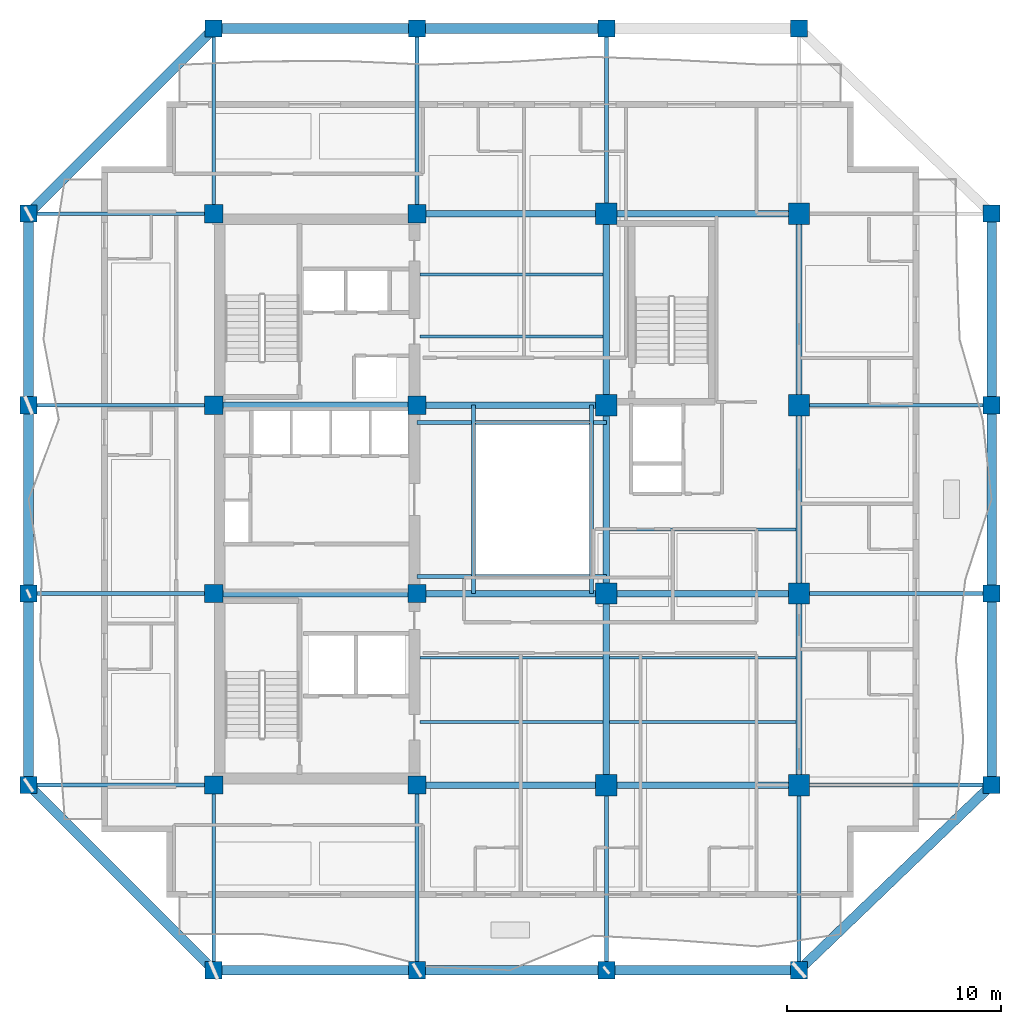
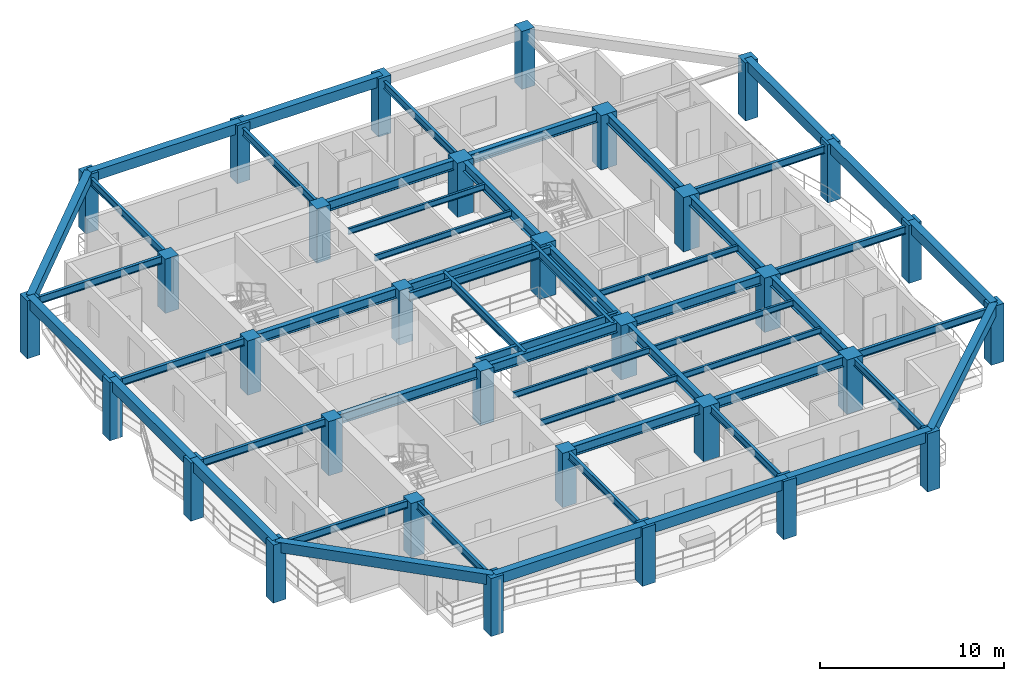
# One storey, part 1 of 11: 54 beams, 32 columns.
"""IFC4 building model written with IfcOpenShell, lengths in metres."""

from ifc_helpers import new_model, si_unit, direction, frame, origin, origin_2d, place, context, subcontext, project, spatial, rectangle, i_section, extrude, material, material_profile, profile_set, type_object, element, save


model = new_model("IFC4")

# Units and contexts
model_context = context("Model", 3, precision=1e-05, world=origin(), true_north=direction((0.0, 1.0)))
body_context = subcontext(model_context, "Body", "Model", "MODEL_VIEW")
ifc_project = project(units=[si_unit("LENGTHUNIT", "METRE"), si_unit("AREAUNIT", "SQUARE_METRE"), si_unit("VOLUMEUNIT", "CUBIC_METRE"), si_unit("PLANEANGLEUNIT", "RADIAN"), si_unit("MASSUNIT", "GRAM", prefix="KILO")], contexts=[model_context])

# Site, building, storey
site_placement = place(None, origin())
site = spatial("IfcSite", under=ifc_project, at=site_placement, CompositionType="ELEMENT")
building_placement = place(site_placement, origin())
building = spatial("IfcBuilding", under=site, at=building_placement, Name="Kundavana Baori Tower", CompositionType="ELEMENT")
storey_placement = place(building_placement, frame((0.0, 0.0, 127.10009765625)))
storey = spatial("IfcBuildingStorey", under=building, at=storey_placement, Name="L30", CompositionType="ELEMENT", Elevation=127.10009765625)

# Columns
ifc_material_1 = material(Name="Concrete C50/60", Category="concrete")
ifc_material_profile_1 = material_profile(ifc_material_1, rectangle(XDim=0.800048828125, YDim=0.800048828125, at=origin_2d()), Name="RC PF 800x800")
ifc_profile_set_1 = profile_set([ifc_material_profile_1], Name="Concrete C50/60")
column_type_1 = type_object("IfcColumnType", Name="COL-PF-800", PredefinedType="COLUMN", material=ifc_profile_set_1)
for number, where, z_axis, x_axis, name in (
    (1, (15.449951171875, 6.60009765625, 0.0), (0.0, 0.0, 1.0), (1.0, 0.0, 0.0), "L30 Stone-Clad Perimeter Frame Column PF-S1"),
    (2, (15.449951171875, 50.60009765625, 0.0), (0.0, 0.0, 1.0), (1.0, 0.0, 0.0), "L30 Stone-Clad Perimeter Frame Column PF-N1"),
    (3, (24.949951171875, 6.60009765625, 0.0), (0.0, 0.0, 1.0), (1.0, 0.0, 0.0), "L30 Stone-Clad Perimeter Frame Column PF-S2"),
    (4, (24.949951171875, 50.60009765625, 0.0), (0.0, 0.0, 1.0), (1.0, 0.0, 0.0), "L30 Stone-Clad Perimeter Frame Column PF-N2"),
    (5, (33.800048828125, 6.60009765625, 0.0), (0.0, 0.0, 1.0), (1.0, 0.0, 0.0), "L30 Stone-Clad Perimeter Frame Column PF-S3"),
    (6, (33.800048828125, 50.60009765625, 0.0), (0.0, 0.0, 1.0), (1.0, 0.0, 0.0), "L30 Stone-Clad Perimeter Frame Column PF-N3"),
    (7, (42.800048828125, 6.60009765625, 0.0), (0.0, 0.0, 1.0), (1.0, 0.0, 0.0), "L30 Stone-Clad Perimeter Frame Column PF-S4"),
    (8, (42.800048828125, 50.60009765625, 0.0), (0.0, 0.0, 1.0), (1.0, 0.0, 0.0), "L30 Stone-Clad Perimeter Frame Column PF-N4"),
    (9, (6.800048828125, 15.25, 0.0), (0.0, 0.0, 1.0), (1.0, 0.0, 0.0), "L30 Stone-Clad Perimeter Frame Column PF-W1"),
    (10, (51.800048828125, 15.25, 0.0), (0.0, 0.0, 1.0), (1.0, 0.0, 0.0), "L30 Stone-Clad Perimeter Frame Column PF-E1"),
    (11, (6.800048828125, 24.199951171875, 0.0), (0.0, 0.0, 1.0), (1.0, 0.0, 0.0), "L30 Stone-Clad Perimeter Frame Column PF-W2"),
    (12, (51.800048828125, 24.199951171875, 0.0), (0.0, 0.0, 1.0), (1.0, 0.0, 0.0), "L30 Stone-Clad Perimeter Frame Column PF-E2"),
    (13, (6.800048828125, 33.0, 0.0), (0.0, 0.0, 1.0), (1.0, 0.0, 0.0), "L30 Stone-Clad Perimeter Frame Column PF-W3"),
    (14, (51.800048828125, 33.0, 0.0), (0.0, 0.0, 1.0), (1.0, 0.0, 0.0), "L30 Stone-Clad Perimeter Frame Column PF-E3"),
    (15, (6.800048828125, 41.949951171875, 0.0), (0.0, 0.0, 1.0), (1.0, 0.0, 0.0), "L30 Stone-Clad Perimeter Frame Column PF-W4"),
    (16, (51.800048828125, 41.949951171875, 0.0), (0.0, 0.0, 1.0), (1.0, 0.0, 0.0), "L30 Stone-Clad Perimeter Frame Column PF-E4"),
):
    element("IfcColumn", number, at=place(storey_placement, frame(where, z_axis=z_axis, x_axis=x_axis)), inside=storey, type_object=column_type_1, Name=name, PredefinedType="COLUMN", context=body_context, shape_type="SweptSolid", body=[
        extrude(rectangle(XDim=0.800048828125, YDim=0.800048828125, at=origin_2d()), origin(), (0.0, 0.0, 1.0), 3.849853515625),
    ])
ifc_material_2 = material(Name="Concrete C50/60", Category="concrete")
ifc_material_profile_2 = material_profile(ifc_material_2, rectangle(XDim=1.0, YDim=1.0, at=origin_2d()), Name="RC 1000x1000")
ifc_profile_set_2 = profile_set([ifc_material_profile_2], Name="Concrete C50/60")
column_type_2 = type_object("IfcColumnType", Name="COL-RC-1000", PredefinedType="COLUMN", material=ifc_profile_set_2)
for number, where, z_axis, x_axis, name in (
    (17, (33.800048828125, 15.25, 0.0), (0.0, 0.0, 1.0), (1.0, 0.0, 0.0), "L30 Interior Column IC-5C"),
    (18, (33.800048828125, 24.199951171875, 0.0), (0.0, 0.0, 1.0), (1.0, 0.0, 0.0), "L30 Interior Column IC-5D"),
    (19, (33.800048828125, 33.0, 0.0), (0.0, 0.0, 1.0), (1.0, 0.0, 0.0), "L30 Interior Column IC-5E"),
    (20, (33.800048828125, 41.949951171875, 0.0), (0.0, 0.0, 1.0), (1.0, 0.0, 0.0), "L30 Interior Column IC-5F"),
    (21, (42.800048828125, 15.25, 0.0), (0.0, 0.0, 1.0), (1.0, 0.0, 0.0), "L30 Interior Column IC-6C"),
    (22, (42.800048828125, 24.199951171875, 0.0), (0.0, 0.0, 1.0), (1.0, 0.0, 0.0), "L30 Interior Column IC-6D"),
    (23, (42.800048828125, 33.0, 0.0), (0.0, 0.0, 1.0), (1.0, 0.0, 0.0), "L30 Interior Column IC-6E"),
    (24, (42.800048828125, 41.949951171875, 0.0), (0.0, 0.0, 1.0), (1.0, 0.0, 0.0), "L30 Interior Column IC-6F"),
):
    element("IfcColumn", number, at=place(storey_placement, frame(where, z_axis=z_axis, x_axis=x_axis)), inside=storey, type_object=column_type_2, Name=name, PredefinedType="COLUMN", context=body_context, shape_type="SweptSolid", body=[
        extrude(rectangle(XDim=1.0, YDim=1.0, at=origin_2d()), origin(), (0.0, 0.0, 1.0), 3.599853515625),
    ])
ifc_material_3 = material(Name="Concrete C50/60", Category="concrete")
ifc_material_profile_3 = material_profile(ifc_material_3, rectangle(XDim=0.85009765625, YDim=0.85009765625, at=origin_2d()), Name="RC 850x850")
ifc_profile_set_3 = profile_set([ifc_material_profile_3], Name="Concrete C50/60")
column_type_3 = type_object("IfcColumnType", Name="COL-RC-850", PredefinedType="COLUMN", material=ifc_profile_set_3)
for number, where, z_axis, x_axis, name in (
    (25, (15.449951171875, 15.25, 0.0), (0.0, 0.0, 1.0), (1.0, 0.0, 0.0), "L30 Interior Column IC-3C"),
    (26, (15.449951171875, 24.199951171875, 0.0), (0.0, 0.0, 1.0), (1.0, 0.0, 0.0), "L30 Interior Column IC-3D"),
    (27, (15.449951171875, 33.0, 0.0), (0.0, 0.0, 1.0), (1.0, 0.0, 0.0), "L30 Interior Column IC-3E"),
    (28, (15.449951171875, 41.949951171875, 0.0), (0.0, 0.0, 1.0), (1.0, 0.0, 0.0), "L30 Interior Column IC-3F"),
    (29, (24.949951171875, 15.25, 0.0), (0.0, 0.0, 1.0), (1.0, 0.0, 0.0), "L30 Interior Column IC-4C"),
    (30, (24.949951171875, 24.199951171875, 0.0), (0.0, 0.0, 1.0), (1.0, 0.0, 0.0), "L30 Interior Column IC-4D"),
    (31, (24.949951171875, 33.0, 0.0), (0.0, 0.0, 1.0), (1.0, 0.0, 0.0), "L30 Interior Column IC-4E"),
    (32, (24.949951171875, 41.949951171875, 0.0), (0.0, 0.0, 1.0), (1.0, 0.0, 0.0), "L30 Interior Column IC-4F"),
):
    element("IfcColumn", number, at=place(storey_placement, frame(where, z_axis=z_axis, x_axis=x_axis)), inside=storey, type_object=column_type_3, Name=name, PredefinedType="COLUMN", context=body_context, shape_type="SweptSolid", body=[
        extrude(rectangle(XDim=0.85009765625, YDim=0.85009765625, at=origin_2d()), origin(), (0.0, 0.0, 1.0), 3.599853515625),
    ])

# Beams
ifc_material_4 = material(Name="Structural Steel S355JR", Category="steel")
ifc_material_profile_4 = material_profile(ifc_material_4, i_section(OverallWidth=0.139892578125, OverallDepth=0.39990234375, WebThickness=0.0087890625, FlangeThickness=0.01611328125, FilletRadius=0.013916015625, at=origin_2d()), Name="ISMB 400")
ifc_profile_set_4 = profile_set([ifc_material_profile_4], Name="Structural Steel S355JR")
beam_type_1 = type_object("IfcBeamType", Name="BM-JST-400", PredefinedType="JOIST", material=ifc_profile_set_4)
for number, where, z_axis, x_axis, name in (
    (33, (25.080078125, 18.199951171875, 3.39990234375), (1.0, 0.0, 0.0), (0.0, 1.0, 0.0), "L30 Central Bay Composite Floor Joist C1"),
    (34, (25.080078125, 21.199951171875, 3.39990234375), (1.0, 0.0, 0.0), (0.0, 1.0, 0.0), "L30 Central Bay Composite Floor Joist C2"),
    (35, (25.080078125, 36.199951171875, 3.39990234375), (1.0, 0.0, 0.0), (0.0, 1.0, 0.0), "L30 Central Bay Composite Floor Joist C3"),
    (36, (25.080078125, 39.10009765625, 3.39990234375), (1.0, 0.0, 0.0), (0.0, 1.0, 0.0), "L30 Central Bay Composite Floor Joist C4"),
):
    element("IfcBeam", number, at=place(storey_placement, frame(where, z_axis=z_axis, x_axis=x_axis)), inside=storey, type_object=beam_type_1, Name=name, PredefinedType="JOIST", context=body_context, shape_type="SweptSolid", body=[
        extrude(i_section(OverallWidth=0.139892578125, OverallDepth=0.39990234375, WebThickness=0.0087890625, FlangeThickness=0.01611328125, FilletRadius=0.013916015625, at=origin_2d()), origin(), (0.0, 0.0, 1.0), 8.56982421875),
    ])
for number, where, z_axis, x_axis, name in (
    (37, (33.949951171875, 18.199951171875, 3.39990234375), (1.0, 0.0, 0.0), (0.0, 1.0, 0.0), "L30 East Bay Composite Floor Joist E1"),
    (38, (33.949951171875, 21.199951171875, 3.39990234375), (1.0, 0.0, 0.0), (0.0, 1.0, 0.0), "L30 East Bay Composite Floor Joist E2"),
    (39, (33.949951171875, 27.199951171875, 3.39990234375), (1.0, 0.0, 0.0), (0.0, 1.0, 0.0), "L30 East Bay Composite Floor Joist E3"),
):
    element("IfcBeam", number, at=place(storey_placement, frame(where, z_axis=z_axis, x_axis=x_axis)), inside=storey, type_object=beam_type_1, Name=name, PredefinedType="JOIST", context=body_context, shape_type="SweptSolid", body=[
        extrude(i_section(OverallWidth=0.139892578125, OverallDepth=0.39990234375, WebThickness=0.0087890625, FlangeThickness=0.01611328125, FilletRadius=0.013916015625, at=origin_2d()), origin(), (0.0, 0.0, 1.0), 8.699951171875),
    ])
ifc_material_5 = material(Name="Concrete C50/60", Category="concrete")
ifc_material_profile_5 = material_profile(ifc_material_5, rectangle(XDim=0.449951171875, YDim=0.679931640625, at=origin_2d()), Name="RC BM 450x680")
ifc_profile_set_5 = profile_set([ifc_material_profile_5], Name="Concrete C50/60")
beam_type_2 = type_object("IfcBeamType", Name="BM-PF-680", PredefinedType="SPANDREL", material=ifc_profile_set_5)
beam_1_placement = place(storey_placement, frame((15.449951171875, 6.60009765625, 3.510009765625), z_axis=(1.0, 0.0, 0.0), x_axis=(0.0, 1.0, 0.0)))
element("IfcBeam", 40, at=beam_1_placement, inside=storey, type_object=beam_type_2, Name="L30 Perimeter Frame Ring Beam S1", PredefinedType="SPANDREL", context=body_context, shape_type="SweptSolid", body=[
    extrude(rectangle(XDim=0.449951171875, YDim=0.679931640625, at=origin_2d()), origin(), (0.0, 0.0, 1.0), 9.5),
])
beam_2_placement = place(storey_placement, frame((24.949951171875, 6.60009765625, 3.510009765625), z_axis=(1.0, 0.0, 0.0), x_axis=(0.0, 1.0, 0.0)))
element("IfcBeam", 41, at=beam_2_placement, inside=storey, type_object=beam_type_2, Name="L30 Perimeter Frame Ring Beam S2", PredefinedType="SPANDREL", context=body_context, shape_type="SweptSolid", body=[
    extrude(rectangle(XDim=0.449951171875, YDim=0.679931640625, at=origin_2d()), origin(), (0.0, 0.0, 1.0), 8.85009765625),
])
beam_3_placement = place(storey_placement, frame((33.800048828125, 6.60009765625, 3.510009765625), z_axis=(1.0, 0.0, 0.0), x_axis=(0.0, 1.0, 0.0)))
element("IfcBeam", 42, at=beam_3_placement, inside=storey, type_object=beam_type_2, Name="L30 Perimeter Frame Ring Beam S3", PredefinedType="SPANDREL", context=body_context, shape_type="SweptSolid", body=[
    extrude(rectangle(XDim=0.449951171875, YDim=0.679931640625, at=origin_2d()), origin(), (0.0, 0.0, 1.0), 9.0),
])
beam_4_placement = place(storey_placement, frame((15.449951171875, 50.60009765625, 3.510009765625), z_axis=(1.0, 0.0, 0.0), x_axis=(0.0, 1.0, 0.0)))
element("IfcBeam", 43, at=beam_4_placement, inside=storey, type_object=beam_type_2, Name="L30 Perimeter Frame Ring Beam N1", PredefinedType="SPANDREL", context=body_context, shape_type="SweptSolid", body=[
    extrude(rectangle(XDim=0.449951171875, YDim=0.679931640625, at=origin_2d()), origin(), (0.0, 0.0, 1.0), 9.5),
])
beam_5_placement = place(storey_placement, frame((24.949951171875, 50.60009765625, 3.510009765625), z_axis=(1.0, 0.0, 0.0), x_axis=(0.0, 1.0, 0.0)))
element("IfcBeam", 44, at=beam_5_placement, inside=storey, type_object=beam_type_2, Name="L30 Perimeter Frame Ring Beam N2", PredefinedType="SPANDREL", context=body_context, shape_type="SweptSolid", body=[
    extrude(rectangle(XDim=0.449951171875, YDim=0.679931640625, at=origin_2d()), origin(), (0.0, 0.0, 1.0), 8.85009765625),
])
beam_6_placement = place(storey_placement, frame((6.800048828125, 15.25, 3.510009765625), z_axis=(0.0, 1.0, 0.0), x_axis=(-1.0, 0.0, 0.0)))
element("IfcBeam", 45, at=beam_6_placement, inside=storey, type_object=beam_type_2, Name="L30 Perimeter Frame Ring Beam W1", PredefinedType="SPANDREL", context=body_context, shape_type="SweptSolid", body=[
    extrude(rectangle(XDim=0.449951171875, YDim=0.679931640625, at=origin_2d()), origin(), (0.0, 0.0, 1.0), 8.949951171875),
])
beam_7_placement = place(storey_placement, frame((6.800048828125, 24.199951171875, 3.510009765625), z_axis=(0.0, 1.0, 0.0), x_axis=(-1.0, 0.0, 0.0)))
element("IfcBeam", 46, at=beam_7_placement, inside=storey, type_object=beam_type_2, Name="L30 Perimeter Frame Ring Beam W2", PredefinedType="SPANDREL", context=body_context, shape_type="SweptSolid", body=[
    extrude(rectangle(XDim=0.449951171875, YDim=0.679931640625, at=origin_2d()), origin(), (0.0, 0.0, 1.0), 8.800048828125),
])
for number, where, z_axis, x_axis, name in (
    (47, (6.800048828125, 33.0, 3.510009765625), (0.0, 1.0, 0.0), (-1.0, 0.0, 0.0), "L30 Perimeter Frame Ring Beam W3"),
    (48, (51.800048828125, 15.25, 3.510009765625), (0.0, 1.0, 0.0), (-1.0, 0.0, 0.0), "L30 Perimeter Frame Ring Beam E1"),
):
    element("IfcBeam", number, at=place(storey_placement, frame(where, z_axis=z_axis, x_axis=x_axis)), inside=storey, type_object=beam_type_2, Name=name, PredefinedType="SPANDREL", context=body_context, shape_type="SweptSolid", body=[
        extrude(rectangle(XDim=0.449951171875, YDim=0.679931640625, at=origin_2d()), origin(), (0.0, 0.0, 1.0), 8.949951171875),
    ])
beam_8_placement = place(storey_placement, frame((51.800048828125, 24.199951171875, 3.510009765625), z_axis=(0.0, 1.0, 0.0), x_axis=(-1.0, 0.0, 0.0)))
element("IfcBeam", 49, at=beam_8_placement, inside=storey, type_object=beam_type_2, Name="L30 Perimeter Frame Ring Beam E2", PredefinedType="SPANDREL", context=body_context, shape_type="SweptSolid", body=[
    extrude(rectangle(XDim=0.449951171875, YDim=0.679931640625, at=origin_2d()), origin(), (0.0, 0.0, 1.0), 8.800048828125),
])
beam_9_placement = place(storey_placement, frame((51.800048828125, 33.0, 3.510009765625), z_axis=(0.0, 1.0, 0.0), x_axis=(-1.0, 0.0, 0.0)))
element("IfcBeam", 50, at=beam_9_placement, inside=storey, type_object=beam_type_2, Name="L30 Perimeter Frame Ring Beam E3", PredefinedType="SPANDREL", context=body_context, shape_type="SweptSolid", body=[
    extrude(rectangle(XDim=0.449951171875, YDim=0.679931640625, at=origin_2d()), origin(), (0.0, 0.0, 1.0), 8.949951171875),
])
beam_10_placement = place(storey_placement, frame((15.449951171875, 6.60009765625, 3.510009765625), z_axis=(-0.707106781187, 0.707106781187, 0.0), x_axis=(-0.707106781187, -0.707106781187, 0.0)))
element("IfcBeam", 51, at=beam_10_placement, inside=storey, type_object=beam_type_2, Name="L30 Notched Corner Perimeter Beam SW", PredefinedType="SPANDREL", context=body_context, shape_type="SweptSolid", body=[
    extrude(rectangle(XDim=0.449951171875, YDim=0.679931640625, at=origin_2d()), origin(), (0.0, 0.0, 1.0), 12.23291015625),
])
beam_11_placement = place(storey_placement, frame((42.800048828125, 6.60009765625, 3.510009765625), z_axis=(0.720990894297, 0.692944536266, 0.0), x_axis=(-0.692944536266, 0.720990894297, 0.0)))
element("IfcBeam", 52, at=beam_11_placement, inside=storey, type_object=beam_type_2, Name="L30 Notched Corner Perimeter Beam SE", PredefinedType="SPANDREL", context=body_context, shape_type="SweptSolid", body=[
    extrude(rectangle(XDim=0.449951171875, YDim=0.679931640625, at=origin_2d()), origin(), (0.0, 0.0, 1.0), 12.48291015625),
])
beam_12_placement = place(storey_placement, frame((15.449951171875, 50.60009765625, 3.510009765625), z_axis=(-0.70709680233, -0.707116759903, 0.0), x_axis=(0.707116759903, -0.70709680233, 0.0)))
element("IfcBeam", 53, at=beam_12_placement, inside=storey, type_object=beam_type_2, Name="L30 Notched Corner Perimeter Beam NW", PredefinedType="SPANDREL", context=body_context, shape_type="SweptSolid", body=[
    extrude(rectangle(XDim=0.449951171875, YDim=0.679931640625, at=origin_2d()), origin(), (0.0, 0.0, 1.0), 12.23291015625),
])
ifc_material_6 = material(Name="Structural Steel S355JR", Category="steel")
ifc_material_profile_6 = material_profile(ifc_material_6, i_section(OverallWidth=0.18994140625, OverallDepth=0.550048828125, WebThickness=0.01123046875, FlangeThickness=0.019287109375, FilletRadius=0.01806640625, at=origin_2d()), Name="ISMB 550")
ifc_profile_set_6 = profile_set([ifc_material_profile_6], Name="Structural Steel S355JR")
beam_type_3 = type_object("IfcBeamType", Name="BM-ST-550", PredefinedType="BEAM", material=ifc_profile_set_6)
for number, where, z_axis, x_axis, name in (
    (54, (27.60009765625, 24.199951171875, 3.324951171875), (0.0, 1.0, 0.0), (-1.0, 0.0, 0.0), "L30 Atrium West Edge Beam"),
    (55, (33.10009765625, 24.199951171875, 3.324951171875), (0.0, 1.0, 0.0), (-1.0, 0.0, 0.0), "L30 Atrium East Edge Beam"),
):
    element("IfcBeam", number, at=place(storey_placement, frame(where, z_axis=z_axis, x_axis=x_axis)), inside=storey, type_object=beam_type_3, Name=name, PredefinedType="BEAM", context=body_context, shape_type="SweptSolid", body=[
        extrude(i_section(OverallWidth=0.18994140625, OverallDepth=0.550048828125, WebThickness=0.01123046875, FlangeThickness=0.019287109375, FilletRadius=0.01806640625, at=origin_2d()), origin(), (0.0, 0.0, 1.0), 8.800048828125),
    ])
for number, where, z_axis, x_axis, name in (
    (56, (24.949951171875, 25.0, 3.324951171875), (1.0, 0.0, 0.0), (0.0, 1.0, 0.0), "L30 Atrium South Edge Beam"),
    (57, (24.949951171875, 32.199951171875, 3.324951171875), (1.0, 0.0, 0.0), (0.0, 1.0, 0.0), "L30 Atrium North Edge Beam"),
):
    element("IfcBeam", number, at=place(storey_placement, frame(where, z_axis=z_axis, x_axis=x_axis)), inside=storey, type_object=beam_type_3, Name=name, PredefinedType="BEAM", context=body_context, shape_type="SweptSolid", body=[
        extrude(i_section(OverallWidth=0.18994140625, OverallDepth=0.550048828125, WebThickness=0.01123046875, FlangeThickness=0.019287109375, FilletRadius=0.01806640625, at=origin_2d()), origin(), (0.0, 0.0, 1.0), 8.85009765625),
    ])
ifc_material_7 = material(Name="Structural Steel S355JR", Category="steel")
ifc_material_profile_7 = material_profile(ifc_material_7, i_section(OverallWidth=0.300048828125, OverallDepth=0.64990234375, WebThickness=0.013427734375, FlangeThickness=0.02197265625, FilletRadius=0.02392578125, at=origin_2d()), Name="NPB 650x300x155")
ifc_profile_set_7 = profile_set([ifc_material_profile_7], Name="Structural Steel S355JR")
beam_type_4 = type_object("IfcBeamType", Name="BM-ST-650", PredefinedType="BEAM", material=ifc_profile_set_7)
beam_13_placement = place(storey_placement, frame((24.949951171875, 15.25, 3.27490234375), z_axis=(1.0, 0.0, 0.0), x_axis=(0.0, 1.0, 0.0)))
element("IfcBeam", 58, at=beam_13_placement, inside=storey, type_object=beam_type_4, Name="L30 Primary Grid Girder GX-1-2", PredefinedType="BEAM", context=body_context, shape_type="SweptSolid", body=[
    extrude(i_section(OverallWidth=0.300048828125, OverallDepth=0.64990234375, WebThickness=0.013427734375, FlangeThickness=0.02197265625, FilletRadius=0.02392578125, at=origin_2d()), origin(), (0.0, 0.0, 1.0), 8.85009765625),
])
beam_14_placement = place(storey_placement, frame((33.800048828125, 15.25, 3.27490234375), z_axis=(1.0, 0.0, 0.0), x_axis=(0.0, 1.0, 0.0)))
element("IfcBeam", 59, at=beam_14_placement, inside=storey, type_object=beam_type_4, Name="L30 Primary Grid Girder GX-1-3", PredefinedType="BEAM", context=body_context, shape_type="SweptSolid", body=[
    extrude(i_section(OverallWidth=0.300048828125, OverallDepth=0.64990234375, WebThickness=0.013427734375, FlangeThickness=0.02197265625, FilletRadius=0.02392578125, at=origin_2d()), origin(), (0.0, 0.0, 1.0), 9.0),
])
beam_15_placement = place(storey_placement, frame((15.449951171875, 24.199951171875, 3.27490234375), z_axis=(1.0, 0.0, 0.0), x_axis=(0.0, 1.0, 0.0)))
element("IfcBeam", 60, at=beam_15_placement, inside=storey, type_object=beam_type_4, Name="L30 Primary Grid Girder GX-2-1", PredefinedType="BEAM", context=body_context, shape_type="SweptSolid", body=[
    extrude(i_section(OverallWidth=0.300048828125, OverallDepth=0.64990234375, WebThickness=0.013427734375, FlangeThickness=0.02197265625, FilletRadius=0.02392578125, at=origin_2d()), origin(), (0.0, 0.0, 1.0), 9.5),
])
beam_16_placement = place(storey_placement, frame((24.949951171875, 24.199951171875, 3.27490234375), z_axis=(1.0, 0.0, 0.0), x_axis=(0.0, 1.0, 0.0)))
element("IfcBeam", 61, at=beam_16_placement, inside=storey, type_object=beam_type_4, Name="L30 Primary Grid Girder GX-2-2", PredefinedType="BEAM", context=body_context, shape_type="SweptSolid", body=[
    extrude(i_section(OverallWidth=0.300048828125, OverallDepth=0.64990234375, WebThickness=0.013427734375, FlangeThickness=0.02197265625, FilletRadius=0.02392578125, at=origin_2d()), origin(), (0.0, 0.0, 1.0), 8.85009765625),
])
beam_17_placement = place(storey_placement, frame((33.800048828125, 24.199951171875, 3.27490234375), z_axis=(1.0, 0.0, 0.0), x_axis=(0.0, 1.0, 0.0)))
element("IfcBeam", 62, at=beam_17_placement, inside=storey, type_object=beam_type_4, Name="L30 Primary Grid Girder GX-2-3", PredefinedType="BEAM", context=body_context, shape_type="SweptSolid", body=[
    extrude(i_section(OverallWidth=0.300048828125, OverallDepth=0.64990234375, WebThickness=0.013427734375, FlangeThickness=0.02197265625, FilletRadius=0.02392578125, at=origin_2d()), origin(), (0.0, 0.0, 1.0), 9.0),
])
beam_18_placement = place(storey_placement, frame((15.449951171875, 33.0, 3.27490234375), z_axis=(1.0, 0.0, 0.0), x_axis=(0.0, 1.0, 0.0)))
element("IfcBeam", 63, at=beam_18_placement, inside=storey, type_object=beam_type_4, Name="L30 Primary Grid Girder GX-3-1", PredefinedType="BEAM", context=body_context, shape_type="SweptSolid", body=[
    extrude(i_section(OverallWidth=0.300048828125, OverallDepth=0.64990234375, WebThickness=0.013427734375, FlangeThickness=0.02197265625, FilletRadius=0.02392578125, at=origin_2d()), origin(), (0.0, 0.0, 1.0), 9.5),
])
for number, where, z_axis, x_axis, name in (
    (64, (24.949951171875, 33.0, 3.27490234375), (1.0, 0.0, 0.0), (0.0, 1.0, 0.0), "L30 Primary Grid Girder GX-3-2"),
    (65, (24.949951171875, 41.949951171875, 3.27490234375), (1.0, 0.0, 0.0), (0.0, 1.0, 0.0), "L30 Primary Grid Girder GX-4-2"),
):
    element("IfcBeam", number, at=place(storey_placement, frame(where, z_axis=z_axis, x_axis=x_axis)), inside=storey, type_object=beam_type_4, Name=name, PredefinedType="BEAM", context=body_context, shape_type="SweptSolid", body=[
        extrude(i_section(OverallWidth=0.300048828125, OverallDepth=0.64990234375, WebThickness=0.013427734375, FlangeThickness=0.02197265625, FilletRadius=0.02392578125, at=origin_2d()), origin(), (0.0, 0.0, 1.0), 8.85009765625),
    ])
beam_19_placement = place(storey_placement, frame((33.800048828125, 41.949951171875, 3.27490234375), z_axis=(1.0, 0.0, 0.0), x_axis=(0.0, 1.0, 0.0)))
element("IfcBeam", 66, at=beam_19_placement, inside=storey, type_object=beam_type_4, Name="L30 Primary Grid Girder GX-4-3", PredefinedType="BEAM", context=body_context, shape_type="SweptSolid", body=[
    extrude(i_section(OverallWidth=0.300048828125, OverallDepth=0.64990234375, WebThickness=0.013427734375, FlangeThickness=0.02197265625, FilletRadius=0.02392578125, at=origin_2d()), origin(), (0.0, 0.0, 1.0), 9.0),
])
beam_20_placement = place(storey_placement, frame((33.800048828125, 15.25, 3.27490234375), z_axis=(0.0, 1.0, 0.0), x_axis=(-1.0, 0.0, 0.0)))
element("IfcBeam", 67, at=beam_20_placement, inside=storey, type_object=beam_type_4, Name="L30 Primary Grid Girder GY-3-1", PredefinedType="BEAM", context=body_context, shape_type="SweptSolid", body=[
    extrude(i_section(OverallWidth=0.300048828125, OverallDepth=0.64990234375, WebThickness=0.013427734375, FlangeThickness=0.02197265625, FilletRadius=0.02392578125, at=origin_2d()), origin(), (0.0, 0.0, 1.0), 8.949951171875),
])
beam_21_placement = place(storey_placement, frame((33.800048828125, 24.199951171875, 3.27490234375), z_axis=(0.0, 1.0, 0.0), x_axis=(-1.0, 0.0, 0.0)))
element("IfcBeam", 68, at=beam_21_placement, inside=storey, type_object=beam_type_4, Name="L30 Primary Grid Girder GY-3-2", PredefinedType="BEAM", context=body_context, shape_type="SweptSolid", body=[
    extrude(i_section(OverallWidth=0.300048828125, OverallDepth=0.64990234375, WebThickness=0.013427734375, FlangeThickness=0.02197265625, FilletRadius=0.02392578125, at=origin_2d()), origin(), (0.0, 0.0, 1.0), 8.800048828125),
])
for number, where, z_axis, x_axis, name in (
    (69, (33.800048828125, 33.0, 3.27490234375), (0.0, 1.0, 0.0), (-1.0, 0.0, 0.0), "L30 Primary Grid Girder GY-3-3"),
    (70, (42.800048828125, 15.25, 3.27490234375), (0.0, 1.0, 0.0), (-1.0, 0.0, 0.0), "L30 Primary Grid Girder GY-4-1"),
):
    element("IfcBeam", number, at=place(storey_placement, frame(where, z_axis=z_axis, x_axis=x_axis)), inside=storey, type_object=beam_type_4, Name=name, PredefinedType="BEAM", context=body_context, shape_type="SweptSolid", body=[
        extrude(i_section(OverallWidth=0.300048828125, OverallDepth=0.64990234375, WebThickness=0.013427734375, FlangeThickness=0.02197265625, FilletRadius=0.02392578125, at=origin_2d()), origin(), (0.0, 0.0, 1.0), 8.949951171875),
    ])
beam_22_placement = place(storey_placement, frame((42.800048828125, 24.199951171875, 3.27490234375), z_axis=(0.0, 1.0, 0.0), x_axis=(-1.0, 0.0, 0.0)))
element("IfcBeam", 71, at=beam_22_placement, inside=storey, type_object=beam_type_4, Name="L30 Primary Grid Girder GY-4-2", PredefinedType="BEAM", context=body_context, shape_type="SweptSolid", body=[
    extrude(i_section(OverallWidth=0.300048828125, OverallDepth=0.64990234375, WebThickness=0.013427734375, FlangeThickness=0.02197265625, FilletRadius=0.02392578125, at=origin_2d()), origin(), (0.0, 0.0, 1.0), 8.800048828125),
])
beam_23_placement = place(storey_placement, frame((42.800048828125, 33.0, 3.27490234375), z_axis=(0.0, 1.0, 0.0), x_axis=(-1.0, 0.0, 0.0)))
element("IfcBeam", 72, at=beam_23_placement, inside=storey, type_object=beam_type_4, Name="L30 Primary Grid Girder GY-4-3", PredefinedType="BEAM", context=body_context, shape_type="SweptSolid", body=[
    extrude(i_section(OverallWidth=0.300048828125, OverallDepth=0.64990234375, WebThickness=0.013427734375, FlangeThickness=0.02197265625, FilletRadius=0.02392578125, at=origin_2d()), origin(), (0.0, 0.0, 1.0), 8.949951171875),
])
ifc_material_8 = material(Name="Structural Steel S355JR", Category="steel")
ifc_material_profile_8 = material_profile(ifc_material_8, i_section(OverallWidth=0.179931640625, OverallDepth=0.5, WebThickness=0.01025390625, FlangeThickness=0.01708984375, FilletRadius=0.01708984375, at=origin_2d()), Name="ISMB 500")
ifc_profile_set_8 = profile_set([ifc_material_profile_8], Name="Structural Steel S355JR")
beam_type_5 = type_object("IfcBeamType", Name="BM-TIE-500", PredefinedType="BEAM", material=ifc_profile_set_8)
beam_24_placement = place(storey_placement, frame((15.449951171875, 15.25, 3.349853515625), z_axis=(0.0, -1.0, 0.0), x_axis=(1.0, 0.0, 0.0)))
element("IfcBeam", 73, at=beam_24_placement, inside=storey, type_object=beam_type_5, Name="L30 South Radial Loggia Tie Beam S1", PredefinedType="BEAM", context=body_context, shape_type="SweptSolid", body=[
    extrude(i_section(OverallWidth=0.179931640625, OverallDepth=0.5, WebThickness=0.01025390625, FlangeThickness=0.01708984375, FilletRadius=0.01708984375, at=origin_2d()), origin(), (0.0, 0.0, 1.0), 8.64990234375),
])
beam_25_placement = place(storey_placement, frame((15.449951171875, 41.949951171875, 3.349853515625), z_axis=(0.0, 1.0, 0.0), x_axis=(-1.0, 0.0, 0.0)))
element("IfcBeam", 74, at=beam_25_placement, inside=storey, type_object=beam_type_5, Name="L30 North Radial Loggia Tie Beam N1", PredefinedType="BEAM", context=body_context, shape_type="SweptSolid", body=[
    extrude(i_section(OverallWidth=0.179931640625, OverallDepth=0.5, WebThickness=0.01025390625, FlangeThickness=0.01708984375, FilletRadius=0.01708984375, at=origin_2d()), origin(), (0.0, 0.0, 1.0), 8.650146484375),
])
beam_26_placement = place(storey_placement, frame((24.949951171875, 15.25, 3.349853515625), z_axis=(0.0, -1.0, 0.0), x_axis=(1.0, 0.0, 0.0)))
element("IfcBeam", 75, at=beam_26_placement, inside=storey, type_object=beam_type_5, Name="L30 South Radial Loggia Tie Beam S2", PredefinedType="BEAM", context=body_context, shape_type="SweptSolid", body=[
    extrude(i_section(OverallWidth=0.179931640625, OverallDepth=0.5, WebThickness=0.01025390625, FlangeThickness=0.01708984375, FilletRadius=0.01708984375, at=origin_2d()), origin(), (0.0, 0.0, 1.0), 8.64990234375),
])
beam_27_placement = place(storey_placement, frame((24.949951171875, 41.949951171875, 3.349853515625), z_axis=(0.0, 1.0, 0.0), x_axis=(-1.0, 0.0, 0.0)))
element("IfcBeam", 76, at=beam_27_placement, inside=storey, type_object=beam_type_5, Name="L30 North Radial Loggia Tie Beam N2", PredefinedType="BEAM", context=body_context, shape_type="SweptSolid", body=[
    extrude(i_section(OverallWidth=0.179931640625, OverallDepth=0.5, WebThickness=0.01025390625, FlangeThickness=0.01708984375, FilletRadius=0.01708984375, at=origin_2d()), origin(), (0.0, 0.0, 1.0), 8.650146484375),
])
beam_28_placement = place(storey_placement, frame((33.800048828125, 15.25, 3.349853515625), z_axis=(0.0, -1.0, 0.0), x_axis=(1.0, 0.0, 0.0)))
element("IfcBeam", 77, at=beam_28_placement, inside=storey, type_object=beam_type_5, Name="L30 South Radial Loggia Tie Beam S3", PredefinedType="BEAM", context=body_context, shape_type="SweptSolid", body=[
    extrude(i_section(OverallWidth=0.179931640625, OverallDepth=0.5, WebThickness=0.01025390625, FlangeThickness=0.01708984375, FilletRadius=0.01708984375, at=origin_2d()), origin(), (0.0, 0.0, 1.0), 8.64990234375),
])
beam_29_placement = place(storey_placement, frame((33.800048828125, 41.949951171875, 3.349853515625), z_axis=(0.0, 1.0, 0.0), x_axis=(-1.0, 0.0, 0.0)))
element("IfcBeam", 78, at=beam_29_placement, inside=storey, type_object=beam_type_5, Name="L30 North Radial Loggia Tie Beam N3", PredefinedType="BEAM", context=body_context, shape_type="SweptSolid", body=[
    extrude(i_section(OverallWidth=0.179931640625, OverallDepth=0.5, WebThickness=0.01025390625, FlangeThickness=0.01708984375, FilletRadius=0.01708984375, at=origin_2d()), origin(), (0.0, 0.0, 1.0), 8.650146484375),
])
for number, where, z_axis, x_axis, name in (
    (79, (42.800048828125, 15.25, 3.349853515625), (0.0, -1.0, 0.0), (1.0, 0.0, 0.0), "L30 South Radial Loggia Tie Beam S4"),
    (80, (15.449951171875, 15.25, 3.349853515625), (-1.0, 0.0, 0.0), (0.0, -1.0, 0.0), "L30 West Radial Loggia Tie Beam W1"),
):
    element("IfcBeam", number, at=place(storey_placement, frame(where, z_axis=z_axis, x_axis=x_axis)), inside=storey, type_object=beam_type_5, Name=name, PredefinedType="BEAM", context=body_context, shape_type="SweptSolid", body=[
        extrude(i_section(OverallWidth=0.179931640625, OverallDepth=0.5, WebThickness=0.01025390625, FlangeThickness=0.01708984375, FilletRadius=0.01708984375, at=origin_2d()), origin(), (0.0, 0.0, 1.0), 8.64990234375),
    ])
beam_30_placement = place(storey_placement, frame((42.800048828125, 15.25, 3.349853515625), z_axis=(1.0, 0.0, 0.0), x_axis=(0.0, 1.0, 0.0)))
element("IfcBeam", 81, at=beam_30_placement, inside=storey, type_object=beam_type_5, Name="L30 East Radial Loggia Tie Beam E1", PredefinedType="BEAM", context=body_context, shape_type="SweptSolid", body=[
    extrude(i_section(OverallWidth=0.179931640625, OverallDepth=0.5, WebThickness=0.01025390625, FlangeThickness=0.01708984375, FilletRadius=0.01708984375, at=origin_2d()), origin(), (0.0, 0.0, 1.0), 9.0),
])
beam_31_placement = place(storey_placement, frame((15.449951171875, 24.199951171875, 3.349853515625), z_axis=(-1.0, 0.0, 0.0), x_axis=(0.0, -1.0, 0.0)))
element("IfcBeam", 82, at=beam_31_placement, inside=storey, type_object=beam_type_5, Name="L30 West Radial Loggia Tie Beam W2", PredefinedType="BEAM", context=body_context, shape_type="SweptSolid", body=[
    extrude(i_section(OverallWidth=0.179931640625, OverallDepth=0.5, WebThickness=0.01025390625, FlangeThickness=0.01708984375, FilletRadius=0.01708984375, at=origin_2d()), origin(), (0.0, 0.0, 1.0), 8.64990234375),
])
beam_32_placement = place(storey_placement, frame((42.800048828125, 24.199951171875, 3.349853515625), z_axis=(1.0, 0.0, 0.0), x_axis=(0.0, 1.0, 0.0)))
element("IfcBeam", 83, at=beam_32_placement, inside=storey, type_object=beam_type_5, Name="L30 East Radial Loggia Tie Beam E2", PredefinedType="BEAM", context=body_context, shape_type="SweptSolid", body=[
    extrude(i_section(OverallWidth=0.179931640625, OverallDepth=0.5, WebThickness=0.01025390625, FlangeThickness=0.01708984375, FilletRadius=0.01708984375, at=origin_2d()), origin(), (0.0, 0.0, 1.0), 9.0),
])
beam_33_placement = place(storey_placement, frame((15.449951171875, 33.0, 3.349853515625), z_axis=(-1.0, 0.0, 0.0), x_axis=(0.0, -1.0, 0.0)))
element("IfcBeam", 84, at=beam_33_placement, inside=storey, type_object=beam_type_5, Name="L30 West Radial Loggia Tie Beam W3", PredefinedType="BEAM", context=body_context, shape_type="SweptSolid", body=[
    extrude(i_section(OverallWidth=0.179931640625, OverallDepth=0.5, WebThickness=0.01025390625, FlangeThickness=0.01708984375, FilletRadius=0.01708984375, at=origin_2d()), origin(), (0.0, 0.0, 1.0), 8.64990234375),
])
beam_34_placement = place(storey_placement, frame((42.800048828125, 33.0, 3.349853515625), z_axis=(1.0, 0.0, 0.0), x_axis=(0.0, 1.0, 0.0)))
element("IfcBeam", 85, at=beam_34_placement, inside=storey, type_object=beam_type_5, Name="L30 East Radial Loggia Tie Beam E3", PredefinedType="BEAM", context=body_context, shape_type="SweptSolid", body=[
    extrude(i_section(OverallWidth=0.179931640625, OverallDepth=0.5, WebThickness=0.01025390625, FlangeThickness=0.01708984375, FilletRadius=0.01708984375, at=origin_2d()), origin(), (0.0, 0.0, 1.0), 9.0),
])
beam_35_placement = place(storey_placement, frame((15.449951171875, 41.949951171875, 3.349853515625), z_axis=(-1.0, 0.0, 0.0), x_axis=(0.0, -1.0, 0.0)))
element("IfcBeam", 86, at=beam_35_placement, inside=storey, type_object=beam_type_5, Name="L30 West Radial Loggia Tie Beam W4", PredefinedType="BEAM", context=body_context, shape_type="SweptSolid", body=[
    extrude(i_section(OverallWidth=0.179931640625, OverallDepth=0.5, WebThickness=0.01025390625, FlangeThickness=0.01708984375, FilletRadius=0.01708984375, at=origin_2d()), origin(), (0.0, 0.0, 1.0), 8.64990234375),
])

save(model, "model.ifc")
